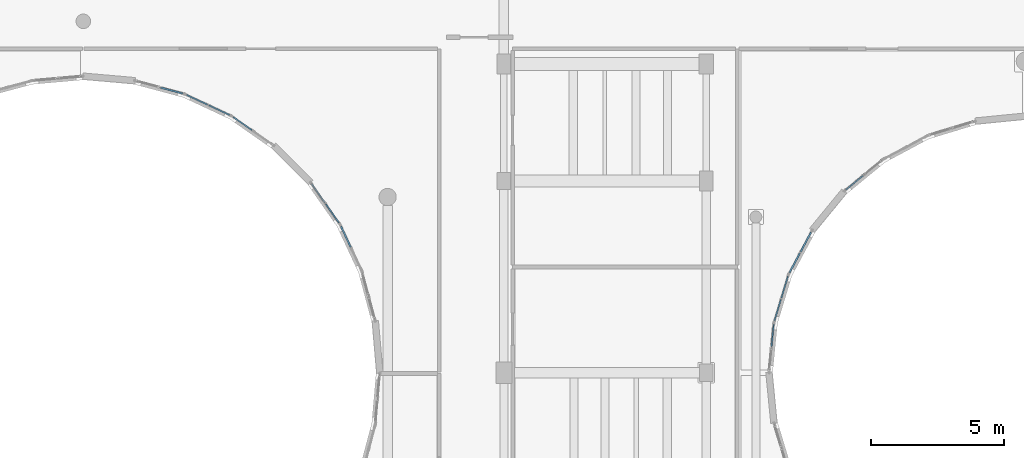
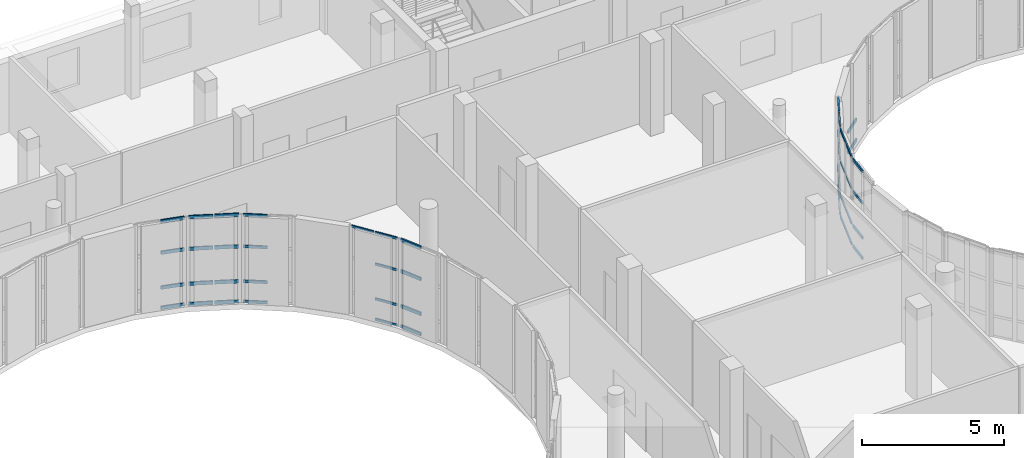
# One storey, part 52 of 89: 47 members, 9 elements without a shape of their own.
"""IFC4 building model written with IfcOpenShell, lengths in metres."""

from ifc_helpers import new_model, si_unit, direction, frame, origin, origin_2d, place, context, subcontext, project, spatial, hollow_rectangle, extrude, material, layer, layer_set, material_profile, profile_set, type_object, element, aggregate, save


model = new_model("IFC4")

# Units and contexts
model_context = context("Model", 3, precision=1e-05, world=origin(), true_north=direction((0.0, 1.0)))
body_context = subcontext(model_context, "Body", "Model", "MODEL_VIEW")
ifc_project = project(units=[si_unit("LENGTHUNIT", "METRE"), si_unit("AREAUNIT", "SQUARE_METRE"), si_unit("VOLUMEUNIT", "CUBIC_METRE"), si_unit("PLANEANGLEUNIT", "RADIAN"), si_unit("MASSUNIT", "GRAM", prefix="KILO")], contexts=[model_context])

# Site, building, storey
site_placement = place(None, origin())
site = spatial("IfcSite", under=ifc_project, at=site_placement, CompositionType="ELEMENT")
building_placement = place(site_placement, origin())
building = spatial("IfcBuilding", under=site, at=building_placement, Name="Kelanivale Promenade Academy", CompositionType="ELEMENT")
storey_placement = place(building_placement, frame((0.0, 0.0, 12.199951171875)))
storey = spatial("IfcBuildingStorey", under=building, at=storey_placement, Name="L03", CompositionType="ELEMENT", Elevation=12.199951171875)

# Curtain wall, members
ifc_material_1 = material(Name="Bronze anodised aluminium and solar-control low-E glass", Category="aluminium")
ifc_layer_1 = layer(ifc_material_1, 0.159912109375)
ifc_layer_set_1 = layer_set([ifc_layer_1], Name="Bronze anodised aluminium and solar-control low-E glass")
curtain_wall_type_1 = type_object("IfcCurtainWallType", Name="CW-21 Curtain Wall 1650mm Module", PredefinedType="USERDEFINED", material=ifc_layer_set_1)
curtain_wall_1_placement = place(storey_placement, origin())
curtain_wall_1 = element("IfcCurtainWall", 1, at=curtain_wall_1_placement, inside=storey, type_object=curtain_wall_type_1, Name="L03 courtyard curtain wall CW-21", ObjectType="COURTYARD SCREEN GLAZING", PredefinedType="USERDEFINED")
ifc_material_2 = material(Name="Bronze anodised aluminium EN AW-6063 T6", Category="aluminium")
ifc_material_profile_1 = material_profile(ifc_material_2, hollow_rectangle(XDim=0.050048828125, YDim=0.10009765625, WallThickness=0.0029296875, at=origin_2d()), Name="ALU 50x100x3.0")
ifc_profile_set_1 = profile_set([ifc_material_profile_1], Name="Bronze anodised aluminium EN AW-6063 T6")
member_type_1 = type_object("IfcMemberType", Name="CWT-01 ALU 50x100x3.0", PredefinedType="USERDEFINED", material=ifc_profile_set_1)
member_1_placement = place(storey_placement, frame((89.87158203125, 60.41845703125, 0.025146484375), z_axis=(-0.290063805049, -0.95700730875, 0.0), x_axis=(0.95700730875, -0.290063805049, 0.0)))
member_1 = element("IfcMember", 2, at=member_1_placement, type_object=member_type_1, Name="CW-21 transom 1.1", ObjectType="TRANSOM", PredefinedType="USERDEFINED", context=body_context, shape_type="SweptSolid", body=[
    extrude(hollow_rectangle(XDim=0.050048828125, YDim=0.10009765625, WallThickness=0.0029296875, at=origin_2d()), origin(), (0.0, 0.0, 1.0), 0.8408203125),
])
member_2_placement = place(storey_placement, frame((89.87158203125, 60.41845703125, 0.900146484375), z_axis=(-0.290063805049, -0.95700730875, 0.0), x_axis=(0.95700730875, -0.290063805049, 0.0)))
member_2 = element("IfcMember", 3, at=member_2_placement, type_object=member_type_1, Name="CW-21 transom 1.2", ObjectType="TRANSOM", PredefinedType="USERDEFINED", context=body_context, shape_type="SweptSolid", body=[
    extrude(hollow_rectangle(XDim=0.050048828125, YDim=0.10009765625, WallThickness=0.0029296875, at=origin_2d()), origin(), (0.0, 0.0, 1.0), 0.8408203125),
])
member_3_placement = place(storey_placement, frame((89.87158203125, 60.41845703125, 2.400146484375), z_axis=(-0.290063805049, -0.95700730875, 0.0), x_axis=(0.95700730875, -0.290063805049, 0.0)))
member_3 = element("IfcMember", 4, at=member_3_placement, type_object=member_type_1, Name="CW-21 transom 1.3", ObjectType="TRANSOM", PredefinedType="USERDEFINED", context=body_context, shape_type="SweptSolid", body=[
    extrude(hollow_rectangle(XDim=0.050048828125, YDim=0.10009765625, WallThickness=0.0029296875, at=origin_2d()), origin(), (0.0, 0.0, 1.0), 0.8408203125),
])
member_4_placement = place(storey_placement, frame((89.87158203125, 60.41845703125, 3.755126953125), z_axis=(-0.290063805049, -0.95700730875, 0.0), x_axis=(0.95700730875, -0.290063805049, 0.0)))
member_4 = element("IfcMember", 5, at=member_4_placement, type_object=member_type_1, Name="CW-21 transom 1.4", ObjectType="TRANSOM", PredefinedType="USERDEFINED", context=body_context, shape_type="SweptSolid", body=[
    extrude(hollow_rectangle(XDim=0.050048828125, YDim=0.10009765625, WallThickness=0.0029296875, at=origin_2d()), origin(), (0.0, 0.0, 1.0), 0.8408203125),
])
member_5_placement = place(storey_placement, frame((89.6103515625, 59.556396484375, 0.025146484375), z_axis=(-0.289983226076, -0.957031728102, 0.0), x_axis=(0.957031728102, -0.289983226076, 0.0)))
member_5 = element("IfcMember", 6, at=member_5_placement, type_object=member_type_1, Name="CW-21 transom 2.1", ObjectType="TRANSOM", PredefinedType="USERDEFINED", context=body_context, shape_type="SweptSolid", body=[
    extrude(hollow_rectangle(XDim=0.050048828125, YDim=0.10009765625, WallThickness=0.0029296875, at=origin_2d()), origin(), (0.0, 0.0, 1.0), 0.841064453125),
])
member_6_placement = place(storey_placement, frame((89.6103515625, 59.556396484375, 0.900146484375), z_axis=(-0.289983226076, -0.957031728102, 0.0), x_axis=(0.957031728102, -0.289983226076, 0.0)))
member_6 = element("IfcMember", 7, at=member_6_placement, type_object=member_type_1, Name="CW-21 transom 2.2", ObjectType="TRANSOM", PredefinedType="USERDEFINED", context=body_context, shape_type="SweptSolid", body=[
    extrude(hollow_rectangle(XDim=0.050048828125, YDim=0.10009765625, WallThickness=0.0029296875, at=origin_2d()), origin(), (0.0, 0.0, 1.0), 0.841064453125),
])
member_7_placement = place(storey_placement, frame((89.6103515625, 59.556396484375, 2.400146484375), z_axis=(-0.289983226076, -0.957031728102, 0.0), x_axis=(0.957031728102, -0.289983226076, 0.0)))
member_7 = element("IfcMember", 8, at=member_7_placement, type_object=member_type_1, Name="CW-21 transom 2.3", ObjectType="TRANSOM", PredefinedType="USERDEFINED", context=body_context, shape_type="SweptSolid", body=[
    extrude(hollow_rectangle(XDim=0.050048828125, YDim=0.10009765625, WallThickness=0.0029296875, at=origin_2d()), origin(), (0.0, 0.0, 1.0), 0.841064453125),
])
member_8_placement = place(storey_placement, frame((89.6103515625, 59.556396484375, 3.755126953125), z_axis=(-0.289983226076, -0.957031728102, 0.0), x_axis=(0.957031728102, -0.289983226076, 0.0)))
member_8 = element("IfcMember", 9, at=member_8_placement, type_object=member_type_1, Name="CW-21 transom 2.4", ObjectType="TRANSOM", PredefinedType="USERDEFINED", context=body_context, shape_type="SweptSolid", body=[
    extrude(hollow_rectangle(XDim=0.050048828125, YDim=0.10009765625, WallThickness=0.0029296875, at=origin_2d()), origin(), (0.0, 0.0, 1.0), 0.841064453125),
])
aggregate(curtain_wall_1, [member_1, member_2, member_3, member_4, member_5, member_6, member_7, member_8])

ifc_layer_2 = layer(ifc_material_1, 0.169921875)
ifc_layer_set_2 = layer_set([ifc_layer_2], Name="Bronze anodised aluminium and solar-control low-E glass")
curtain_wall_type_2 = type_object("IfcCurtainWallType", Name="CW-13 Curtain Wall 1350mm Module", PredefinedType="USERDEFINED", material=ifc_layer_set_2)
curtain_wall_2_placement = place(storey_placement, origin())
curtain_wall_2 = element("IfcCurtainWall", 10, at=curtain_wall_2_placement, inside=storey, type_object=curtain_wall_type_2, Name="L03 courtyard curtain wall CW-13", ObjectType="COURTYARD SCREEN GLAZING", PredefinedType="USERDEFINED")
member_9_placement = place(storey_placement, frame((73.006591796875, 62.42919921875, 0.025146484375), z_axis=(-0.573329193297, 0.819325110144, 0.0), x_axis=(-0.819325110144, -0.573329193297, 0.0)))
member_9 = element("IfcMember", 11, at=member_9_placement, type_object=member_type_1, Name="CW-13 transom 1.1", ObjectType="TRANSOM", PredefinedType="USERDEFINED", context=body_context, shape_type="SweptSolid", body=[
    extrude(hollow_rectangle(XDim=0.050048828125, YDim=0.10009765625, WallThickness=0.0029296875, at=origin_2d()), origin(), (0.0, 0.0, 1.0), 0.861572265625),
])
member_10_placement = place(storey_placement, frame((73.006591796875, 62.42919921875, 0.900146484375), z_axis=(-0.573329193297, 0.819325110144, 0.0), x_axis=(-0.819325110144, -0.573329193297, 0.0)))
member_10 = element("IfcMember", 12, at=member_10_placement, type_object=member_type_1, Name="CW-13 transom 1.2", ObjectType="TRANSOM", PredefinedType="USERDEFINED", context=body_context, shape_type="SweptSolid", body=[
    extrude(hollow_rectangle(XDim=0.050048828125, YDim=0.10009765625, WallThickness=0.0029296875, at=origin_2d()), origin(), (0.0, 0.0, 1.0), 0.861572265625),
])
member_11_placement = place(storey_placement, frame((73.006591796875, 62.42919921875, 2.400146484375), z_axis=(-0.573329193297, 0.819325110144, 0.0), x_axis=(-0.819325110144, -0.573329193297, 0.0)))
member_11 = element("IfcMember", 13, at=member_11_placement, type_object=member_type_1, Name="CW-13 transom 1.3", ObjectType="TRANSOM", PredefinedType="USERDEFINED", context=body_context, shape_type="SweptSolid", body=[
    extrude(hollow_rectangle(XDim=0.050048828125, YDim=0.10009765625, WallThickness=0.0029296875, at=origin_2d()), origin(), (0.0, 0.0, 1.0), 0.861572265625),
])
member_12_placement = place(storey_placement, frame((73.006591796875, 62.42919921875, 3.755126953125), z_axis=(-0.573329193297, 0.819325110144, 0.0), x_axis=(-0.819325110144, -0.573329193297, 0.0)))
member_12 = element("IfcMember", 14, at=member_12_placement, type_object=member_type_1, Name="CW-13 transom 1.4", ObjectType="TRANSOM", PredefinedType="USERDEFINED", context=body_context, shape_type="SweptSolid", body=[
    extrude(hollow_rectangle(XDim=0.050048828125, YDim=0.10009765625, WallThickness=0.0029296875, at=origin_2d()), origin(), (0.0, 0.0, 1.0), 0.861572265625),
])
member_13_placement = place(storey_placement, frame((72.478271484375, 63.18408203125, 3.755126953125), z_axis=(-0.573329193297, 0.819325110144, 0.0), x_axis=(-0.819325110144, -0.573329193297, 0.0)))
member_13 = element("IfcMember", 15, at=member_13_placement, type_object=member_type_1, Name="CW-13 transom 2.4", ObjectType="TRANSOM", PredefinedType="USERDEFINED", context=body_context, shape_type="SweptSolid", body=[
    extrude(hollow_rectangle(XDim=0.050048828125, YDim=0.10009765625, WallThickness=0.0029296875, at=origin_2d()), origin(), (0.0, 0.0, 1.0), 0.861572265625),
])
aggregate(curtain_wall_2, [member_9, member_10, member_11, member_12, member_13])

ifc_layer_3 = layer(ifc_material_1, 0.169921875)
ifc_layer_set_3 = layer_set([ifc_layer_3], Name="Bronze anodised aluminium and solar-control low-E glass")
curtain_wall_type_3 = type_object("IfcCurtainWallType", Name="CW-22 Curtain Wall 1800mm Module", PredefinedType="USERDEFINED", material=ifc_layer_set_3)
curtain_wall_3_placement = place(storey_placement, origin())
curtain_wall_3 = element("IfcCurtainWall", 16, at=curtain_wall_3_placement, inside=storey, type_object=curtain_wall_type_3, Name="L03 courtyard curtain wall CW-22", ObjectType="COURTYARD SCREEN GLAZING", PredefinedType="USERDEFINED")
ifc_material_profile_2 = material_profile(ifc_material_2, hollow_rectangle(XDim=0.050048828125, YDim=0.1201171875, WallThickness=0.0029296875, at=origin_2d()), Name="ALU 50x120x3.0")
ifc_profile_set_2 = profile_set([ifc_material_profile_2], Name="Bronze anodised aluminium EN AW-6063 T6")
member_type_2 = type_object("IfcMemberType", Name="CWT-02 ALU 50x120x3.0", PredefinedType="USERDEFINED", material=ifc_profile_set_2)
member_14_placement = place(storey_placement, frame((89.338134765625, 58.607177734375, 0.025146484375), z_axis=(-0.098720582839, -0.99511519259, 0.0), x_axis=(0.99511519259, -0.098720582839, 0.0)))
member_14 = element("IfcMember", 17, at=member_14_placement, type_object=member_type_2, Name="CW-22 transom 1.1", ObjectType="TRANSOM", PredefinedType="USERDEFINED", context=body_context, shape_type="SweptSolid", body=[
    extrude(hollow_rectangle(XDim=0.050048828125, YDim=0.1201171875, WallThickness=0.0029296875, at=origin_2d()), origin(), (0.0, 0.0, 1.0), 0.83349609375),
])
member_15_placement = place(storey_placement, frame((89.338134765625, 58.607177734375, 0.900146484375), z_axis=(-0.098720582839, -0.99511519259, 0.0), x_axis=(0.99511519259, -0.098720582839, 0.0)))
member_15 = element("IfcMember", 18, at=member_15_placement, type_object=member_type_2, Name="CW-22 transom 1.2", ObjectType="TRANSOM", PredefinedType="USERDEFINED", context=body_context, shape_type="SweptSolid", body=[
    extrude(hollow_rectangle(XDim=0.050048828125, YDim=0.1201171875, WallThickness=0.0029296875, at=origin_2d()), origin(), (0.0, 0.0, 1.0), 0.83349609375),
])
member_16_placement = place(storey_placement, frame((89.338134765625, 58.607177734375, 2.400146484375), z_axis=(-0.098720582839, -0.99511519259, 0.0), x_axis=(0.99511519259, -0.098720582839, 0.0)))
member_16 = element("IfcMember", 19, at=member_16_placement, type_object=member_type_2, Name="CW-22 transom 1.3", ObjectType="TRANSOM", PredefinedType="USERDEFINED", context=body_context, shape_type="SweptSolid", body=[
    extrude(hollow_rectangle(XDim=0.050048828125, YDim=0.1201171875, WallThickness=0.0029296875, at=origin_2d()), origin(), (0.0, 0.0, 1.0), 0.83349609375),
])
member_17_placement = place(storey_placement, frame((89.338134765625, 58.607177734375, 3.755126953125), z_axis=(-0.098720582839, -0.99511519259, 0.0), x_axis=(0.99511519259, -0.098720582839, 0.0)))
member_17 = element("IfcMember", 20, at=member_17_placement, type_object=member_type_2, Name="CW-22 transom 1.4", ObjectType="TRANSOM", PredefinedType="USERDEFINED", context=body_context, shape_type="SweptSolid", body=[
    extrude(hollow_rectangle(XDim=0.050048828125, YDim=0.1201171875, WallThickness=0.0029296875, at=origin_2d()), origin(), (0.0, 0.0, 1.0), 0.83349609375),
])
aggregate(curtain_wall_3, [member_14, member_15, member_16, member_17])

ifc_layer_4 = layer(ifc_material_1, 0.179931640625)
ifc_layer_set_4 = layer_set([ifc_layer_4], Name="Bronze anodised aluminium and solar-control low-E glass")
curtain_wall_type_4 = type_object("IfcCurtainWallType", Name="CW-14 Curtain Wall 1500mm Module", PredefinedType="USERDEFINED", material=ifc_layer_set_4)
curtain_wall_4_placement = place(storey_placement, origin())
curtain_wall_4 = element("IfcCurtainWall", 21, at=curtain_wall_4_placement, inside=storey, type_object=curtain_wall_type_4, Name="L03 courtyard curtain wall CW-14", ObjectType="COURTYARD SCREEN GLAZING", PredefinedType="USERDEFINED")
member_18_placement = place(storey_placement, frame((69.73486328125, 65.91259765625, 0.025146484375), z_axis=(-0.819325110144, 0.573329193297, 0.0), x_axis=(-0.573329193297, -0.819325110144, 0.0)))
member_18 = element("IfcMember", 22, at=member_18_placement, type_object=member_type_2, Name="CW-14 transom 2.1", ObjectType="TRANSOM", PredefinedType="USERDEFINED", context=body_context, shape_type="SweptSolid", body=[
    extrude(hollow_rectangle(XDim=0.050048828125, YDim=0.1201171875, WallThickness=0.0029296875, at=origin_2d()), origin(), (0.0, 0.0, 1.0), 0.861572265625),
])
member_19_placement = place(storey_placement, frame((69.73486328125, 65.91259765625, 0.900146484375), z_axis=(-0.819325110144, 0.573329193297, 0.0), x_axis=(-0.573329193297, -0.819325110144, 0.0)))
member_19 = element("IfcMember", 23, at=member_19_placement, type_object=member_type_2, Name="CW-14 transom 2.2", ObjectType="TRANSOM", PredefinedType="USERDEFINED", context=body_context, shape_type="SweptSolid", body=[
    extrude(hollow_rectangle(XDim=0.050048828125, YDim=0.1201171875, WallThickness=0.0029296875, at=origin_2d()), origin(), (0.0, 0.0, 1.0), 0.861572265625),
])
member_20_placement = place(storey_placement, frame((69.73486328125, 65.91259765625, 2.400146484375), z_axis=(-0.819325110144, 0.573329193297, 0.0), x_axis=(-0.573329193297, -0.819325110144, 0.0)))
member_20 = element("IfcMember", 24, at=member_20_placement, type_object=member_type_2, Name="CW-14 transom 2.3", ObjectType="TRANSOM", PredefinedType="USERDEFINED", context=body_context, shape_type="SweptSolid", body=[
    extrude(hollow_rectangle(XDim=0.050048828125, YDim=0.1201171875, WallThickness=0.0029296875, at=origin_2d()), origin(), (0.0, 0.0, 1.0), 0.861572265625),
])
member_21_placement = place(storey_placement, frame((69.73486328125, 65.91259765625, 3.755126953125), z_axis=(-0.819325110144, 0.573329193297, 0.0), x_axis=(-0.573329193297, -0.819325110144, 0.0)))
member_21 = element("IfcMember", 25, at=member_21_placement, type_object=member_type_2, Name="CW-14 transom 2.4", ObjectType="TRANSOM", PredefinedType="USERDEFINED", context=body_context, shape_type="SweptSolid", body=[
    extrude(hollow_rectangle(XDim=0.050048828125, YDim=0.1201171875, WallThickness=0.0029296875, at=origin_2d()), origin(), (0.0, 0.0, 1.0), 0.861572265625),
])
aggregate(curtain_wall_4, [member_18, member_19, member_20, member_21])

ifc_layer_5 = layer(ifc_material_1, 0.169921875)
ifc_layer_set_5 = layer_set([ifc_layer_5], Name="Bronze anodised aluminium and solar-control low-E glass")
curtain_wall_type_5 = type_object("IfcCurtainWallType", Name="CW-19 Curtain Wall 1350mm Module", PredefinedType="USERDEFINED", material=ifc_layer_set_5)
curtain_wall_5_placement = place(storey_placement, origin())
curtain_wall_5 = element("IfcCurtainWall", 26, at=curtain_wall_5_placement, inside=storey, type_object=curtain_wall_type_5, Name="L03 courtyard curtain wall CW-19", ObjectType="COURTYARD SCREEN GLAZING", PredefinedType="USERDEFINED")
ifc_material_profile_3 = material_profile(ifc_material_2, hollow_rectangle(XDim=0.050048828125, YDim=0.14990234375, WallThickness=0.00341796875, at=origin_2d()), Name="ALU 50x150x3.5")
ifc_profile_set_3 = profile_set([ifc_material_profile_3], Name="Bronze anodised aluminium EN AW-6063 T6")
member_type_3 = type_object("IfcMemberType", Name="CWT-03 ALU 50x150x3.5", PredefinedType="USERDEFINED", material=ifc_profile_set_3)
member_22_placement = place(storey_placement, frame((92.69384765625, 64.200927734375, 0.025146484375), z_axis=(-0.7732851825, -0.634058377853, 0.0), x_axis=(0.634058377853, -0.7732851825, 0.0)))
member_22 = element("IfcMember", 27, at=member_22_placement, type_object=member_type_3, Name="CW-19 transom 2.1", ObjectType="TRANSOM", PredefinedType="USERDEFINED", context=body_context, shape_type="SweptSolid", body=[
    extrude(hollow_rectangle(XDim=0.050048828125, YDim=0.14990234375, WallThickness=0.00341796875, at=origin_2d()), origin(), (0.0, 0.0, 1.0), 0.825927734375),
])
member_23_placement = place(storey_placement, frame((92.69384765625, 64.200927734375, 0.900146484375), z_axis=(-0.7732851825, -0.634058377853, 0.0), x_axis=(0.634058377853, -0.7732851825, 0.0)))
member_23 = element("IfcMember", 28, at=member_23_placement, type_object=member_type_3, Name="CW-19 transom 2.2", ObjectType="TRANSOM", PredefinedType="USERDEFINED", context=body_context, shape_type="SweptSolid", body=[
    extrude(hollow_rectangle(XDim=0.050048828125, YDim=0.14990234375, WallThickness=0.00341796875, at=origin_2d()), origin(), (0.0, 0.0, 1.0), 0.825927734375),
])
aggregate(curtain_wall_5, [member_22, member_23])

ifc_layer_6 = layer(ifc_material_1, 0.159912109375)
ifc_layer_set_6 = layer_set([ifc_layer_6], Name="Bronze anodised aluminium and solar-control low-E glass")
curtain_wall_type_6 = type_object("IfcCurtainWallType", Name="CW-15 Curtain Wall 1650mm Module", PredefinedType="USERDEFINED", material=ifc_layer_set_6)
curtain_wall_6_placement = place(storey_placement, origin())
curtain_wall_6 = element("IfcCurtainWall", 29, at=curtain_wall_6_placement, inside=storey, type_object=curtain_wall_type_6, Name="L03 courtyard curtain wall CW-15", ObjectType="COURTYARD SCREEN GLAZING", PredefinedType="USERDEFINED")
member_24_placement = place(storey_placement, frame((68.900146484375, 66.48046875, 0.025146484375), z_axis=(-0.906226571939, 0.422792384407, 0.0), x_axis=(-0.422792384407, -0.906226571939, 0.0)))
member_24 = element("IfcMember", 30, at=member_24_placement, type_object=member_type_3, Name="CW-15 transom 1.1", ObjectType="TRANSOM", PredefinedType="USERDEFINED", context=body_context, shape_type="SweptSolid", body=[
    extrude(hollow_rectangle(XDim=0.050048828125, YDim=0.14990234375, WallThickness=0.00341796875, at=origin_2d()), origin(), (0.0, 0.0, 1.0), 0.861572265625),
])
member_25_placement = place(storey_placement, frame((68.900146484375, 66.48046875, 0.900146484375), z_axis=(-0.906226571939, 0.422792384407, 0.0), x_axis=(-0.422792384407, -0.906226571939, 0.0)))
member_25 = element("IfcMember", 31, at=member_25_placement, type_object=member_type_3, Name="CW-15 transom 1.2", ObjectType="TRANSOM", PredefinedType="USERDEFINED", context=body_context, shape_type="SweptSolid", body=[
    extrude(hollow_rectangle(XDim=0.050048828125, YDim=0.14990234375, WallThickness=0.00341796875, at=origin_2d()), origin(), (0.0, 0.0, 1.0), 0.861572265625),
])
member_26_placement = place(storey_placement, frame((68.900146484375, 66.48046875, 2.400146484375), z_axis=(-0.906226571939, 0.422792384407, 0.0), x_axis=(-0.422792384407, -0.906226571939, 0.0)))
member_26 = element("IfcMember", 32, at=member_26_placement, type_object=member_type_3, Name="CW-15 transom 1.3", ObjectType="TRANSOM", PredefinedType="USERDEFINED", context=body_context, shape_type="SweptSolid", body=[
    extrude(hollow_rectangle(XDim=0.050048828125, YDim=0.14990234375, WallThickness=0.00341796875, at=origin_2d()), origin(), (0.0, 0.0, 1.0), 0.861572265625),
])
member_27_placement = place(storey_placement, frame((68.900146484375, 66.48046875, 3.755126953125), z_axis=(-0.906226571939, 0.422792384407, 0.0), x_axis=(-0.422792384407, -0.906226571939, 0.0)))
member_27 = element("IfcMember", 33, at=member_27_placement, type_object=member_type_3, Name="CW-15 transom 1.4", ObjectType="TRANSOM", PredefinedType="USERDEFINED", context=body_context, shape_type="SweptSolid", body=[
    extrude(hollow_rectangle(XDim=0.050048828125, YDim=0.14990234375, WallThickness=0.00341796875, at=origin_2d()), origin(), (0.0, 0.0, 1.0), 0.861572265625),
])
member_28_placement = place(storey_placement, frame((68.060546875, 66.872314453125, 0.025146484375), z_axis=(-0.906226571939, 0.422792384407, 0.0), x_axis=(-0.422792384407, -0.906226571939, 0.0)))
member_28 = element("IfcMember", 34, at=member_28_placement, type_object=member_type_3, Name="CW-15 transom 2.1", ObjectType="TRANSOM", PredefinedType="USERDEFINED", context=body_context, shape_type="SweptSolid", body=[
    extrude(hollow_rectangle(XDim=0.050048828125, YDim=0.14990234375, WallThickness=0.00341796875, at=origin_2d()), origin(), (0.0, 0.0, 1.0), 0.861572265625),
])
member_29_placement = place(storey_placement, frame((68.060546875, 66.872314453125, 0.900146484375), z_axis=(-0.906226571939, 0.422792384407, 0.0), x_axis=(-0.422792384407, -0.906226571939, 0.0)))
member_29 = element("IfcMember", 35, at=member_29_placement, type_object=member_type_3, Name="CW-15 transom 2.2", ObjectType="TRANSOM", PredefinedType="USERDEFINED", context=body_context, shape_type="SweptSolid", body=[
    extrude(hollow_rectangle(XDim=0.050048828125, YDim=0.14990234375, WallThickness=0.00341796875, at=origin_2d()), origin(), (0.0, 0.0, 1.0), 0.861572265625),
])
member_30_placement = place(storey_placement, frame((68.060546875, 66.872314453125, 2.400146484375), z_axis=(-0.906226571939, 0.422792384407, 0.0), x_axis=(-0.422792384407, -0.906226571939, 0.0)))
member_30 = element("IfcMember", 36, at=member_30_placement, type_object=member_type_3, Name="CW-15 transom 2.3", ObjectType="TRANSOM", PredefinedType="USERDEFINED", context=body_context, shape_type="SweptSolid", body=[
    extrude(hollow_rectangle(XDim=0.050048828125, YDim=0.14990234375, WallThickness=0.00341796875, at=origin_2d()), origin(), (0.0, 0.0, 1.0), 0.861572265625),
])
member_31_placement = place(storey_placement, frame((68.060546875, 66.872314453125, 3.755126953125), z_axis=(-0.906226571939, 0.422792384407, 0.0), x_axis=(-0.422792384407, -0.906226571939, 0.0)))
member_31 = element("IfcMember", 37, at=member_31_placement, type_object=member_type_3, Name="CW-15 transom 2.4", ObjectType="TRANSOM", PredefinedType="USERDEFINED", context=body_context, shape_type="SweptSolid", body=[
    extrude(hollow_rectangle(XDim=0.050048828125, YDim=0.14990234375, WallThickness=0.00341796875, at=origin_2d()), origin(), (0.0, 0.0, 1.0), 0.861572265625),
])
aggregate(curtain_wall_6, [member_24, member_25, member_26, member_27, member_28, member_29, member_30, member_31])

ifc_layer_7 = layer(ifc_material_1, 0.179931640625)
ifc_layer_set_7 = layer_set([ifc_layer_7], Name="Bronze anodised aluminium and solar-control low-E glass")
curtain_wall_type_7 = type_object("IfcCurtainWallType", Name="CW-20 Curtain Wall 1500mm Module", PredefinedType="USERDEFINED", material=ifc_layer_set_7)
curtain_wall_7_placement = place(storey_placement, origin())
curtain_wall_7 = element("IfcCurtainWall", 38, at=curtain_wall_7_placement, inside=storey, type_object=curtain_wall_type_7, Name="L03 courtyard curtain wall CW-20", ObjectType="COURTYARD SCREEN GLAZING", PredefinedType="USERDEFINED")
ifc_material_profile_4 = material_profile(ifc_material_2, hollow_rectangle(XDim=0.06005859375, YDim=0.139892578125, WallThickness=0.00341796875, at=origin_2d()), Name="ALU 60x140x3.5")
ifc_profile_set_4 = profile_set([ifc_material_profile_4], Name="Bronze anodised aluminium EN AW-6063 T6")
member_type_4 = type_object("IfcMemberType", Name="CWT-04 ALU 60x140x3.5", PredefinedType="USERDEFINED", material=ifc_profile_set_4)
member_32_placement = place(storey_placement, frame((90.740478515625, 62.07373046875, 0.030029296875), z_axis=(-0.471385192805, -0.881927434659, 0.0), x_axis=(0.881927434659, -0.471385192805, 0.0)))
member_32 = element("IfcMember", 39, at=member_32_placement, type_object=member_type_4, Name="CW-20 transom 1.1", ObjectType="TRANSOM", PredefinedType="USERDEFINED", context=body_context, shape_type="SweptSolid", body=[
    extrude(hollow_rectangle(XDim=0.06005859375, YDim=0.139892578125, WallThickness=0.00341796875, at=origin_2d()), origin(), (0.0, 0.0, 1.0), 0.82666015625),
])
member_33_placement = place(storey_placement, frame((90.740478515625, 62.07373046875, 0.900146484375), z_axis=(-0.471385192805, -0.881927434659, 0.0), x_axis=(0.881927434659, -0.471385192805, 0.0)))
member_33 = element("IfcMember", 40, at=member_33_placement, type_object=member_type_4, Name="CW-20 transom 1.2", ObjectType="TRANSOM", PredefinedType="USERDEFINED", context=body_context, shape_type="SweptSolid", body=[
    extrude(hollow_rectangle(XDim=0.06005859375, YDim=0.139892578125, WallThickness=0.00341796875, at=origin_2d()), origin(), (0.0, 0.0, 1.0), 0.82666015625),
])
member_34_placement = place(storey_placement, frame((90.740478515625, 62.07373046875, 2.400146484375), z_axis=(-0.471385192805, -0.881927434659, 0.0), x_axis=(0.881927434659, -0.471385192805, 0.0)))
member_34 = element("IfcMember", 41, at=member_34_placement, type_object=member_type_4, Name="CW-20 transom 1.3", ObjectType="TRANSOM", PredefinedType="USERDEFINED", context=body_context, shape_type="SweptSolid", body=[
    extrude(hollow_rectangle(XDim=0.06005859375, YDim=0.139892578125, WallThickness=0.00341796875, at=origin_2d()), origin(), (0.0, 0.0, 1.0), 0.82666015625),
])
member_35_placement = place(storey_placement, frame((90.740478515625, 62.07373046875, 3.75), z_axis=(-0.471385192805, -0.881927434659, 0.0), x_axis=(0.881927434659, -0.471385192805, 0.0)))
member_35 = element("IfcMember", 42, at=member_35_placement, type_object=member_type_4, Name="CW-20 transom 1.4", ObjectType="TRANSOM", PredefinedType="USERDEFINED", context=body_context, shape_type="SweptSolid", body=[
    extrude(hollow_rectangle(XDim=0.06005859375, YDim=0.139892578125, WallThickness=0.00341796875, at=origin_2d()), origin(), (0.0, 0.0, 1.0), 0.82666015625),
])
member_36_placement = place(storey_placement, frame((90.320068359375, 61.287353515625, 0.030029296875), z_axis=(-0.471155419567, -0.882050208669, 0.0), x_axis=(0.882050208669, -0.471155419567, 0.0)))
member_36 = element("IfcMember", 43, at=member_36_placement, type_object=member_type_4, Name="CW-20 transom 2.1", ObjectType="TRANSOM", PredefinedType="USERDEFINED", context=body_context, shape_type="SweptSolid", body=[
    extrude(hollow_rectangle(XDim=0.06005859375, YDim=0.139892578125, WallThickness=0.00341796875, at=origin_2d()), origin(), (0.0, 0.0, 1.0), 0.826416015625),
])
member_37_placement = place(storey_placement, frame((90.320068359375, 61.287353515625, 0.900146484375), z_axis=(-0.471155419567, -0.882050208669, 0.0), x_axis=(0.882050208669, -0.471155419567, 0.0)))
member_37 = element("IfcMember", 44, at=member_37_placement, type_object=member_type_4, Name="CW-20 transom 2.2", ObjectType="TRANSOM", PredefinedType="USERDEFINED", context=body_context, shape_type="SweptSolid", body=[
    extrude(hollow_rectangle(XDim=0.06005859375, YDim=0.139892578125, WallThickness=0.00341796875, at=origin_2d()), origin(), (0.0, 0.0, 1.0), 0.826416015625),
])
member_38_placement = place(storey_placement, frame((90.320068359375, 61.287353515625, 2.400146484375), z_axis=(-0.471155419567, -0.882050208669, 0.0), x_axis=(0.882050208669, -0.471155419567, 0.0)))
member_38 = element("IfcMember", 45, at=member_38_placement, type_object=member_type_4, Name="CW-20 transom 2.3", ObjectType="TRANSOM", PredefinedType="USERDEFINED", context=body_context, shape_type="SweptSolid", body=[
    extrude(hollow_rectangle(XDim=0.06005859375, YDim=0.139892578125, WallThickness=0.00341796875, at=origin_2d()), origin(), (0.0, 0.0, 1.0), 0.826416015625),
])
member_39_placement = place(storey_placement, frame((90.320068359375, 61.287353515625, 3.75), z_axis=(-0.471155419567, -0.882050208669, 0.0), x_axis=(0.882050208669, -0.471155419567, 0.0)))
member_39 = element("IfcMember", 46, at=member_39_placement, type_object=member_type_4, Name="CW-20 transom 2.4", ObjectType="TRANSOM", PredefinedType="USERDEFINED", context=body_context, shape_type="SweptSolid", body=[
    extrude(hollow_rectangle(XDim=0.06005859375, YDim=0.139892578125, WallThickness=0.00341796875, at=origin_2d()), origin(), (0.0, 0.0, 1.0), 0.826416015625),
])
aggregate(curtain_wall_7, [member_32, member_33, member_34, member_35, member_36, member_37, member_38, member_39])

ifc_layer_8 = layer(ifc_material_1, 0.159912109375)
ifc_layer_set_8 = layer_set([ifc_layer_8], Name="Bronze anodised aluminium and solar-control low-E glass")
curtain_wall_type_8 = type_object("IfcCurtainWallType", Name="CW-12 Curtain Wall 1200mm Module", PredefinedType="USERDEFINED", material=ifc_layer_set_8)
curtain_wall_8_placement = place(storey_placement, origin())
curtain_wall_8 = element("IfcCurtainWall", 47, at=curtain_wall_8_placement, inside=storey, type_object=curtain_wall_type_8, Name="L03 courtyard curtain wall CW-12", ObjectType="UNITISED GLAZING", PredefinedType="USERDEFINED")
member_40_placement = place(storey_placement, frame((73.44482421875, 61.51953125, 0.030029296875), z_axis=(-0.422900982369, 0.906175898549, 0.0), x_axis=(-0.906175898549, -0.422900982369, 0.0)))
member_40 = element("IfcMember", 48, at=member_40_placement, type_object=member_type_4, Name="CW-12 transom 2.1", ObjectType="TRANSOM", PredefinedType="USERDEFINED", context=body_context, shape_type="SweptSolid", body=[
    extrude(hollow_rectangle(XDim=0.06005859375, YDim=0.139892578125, WallThickness=0.00341796875, at=origin_2d()), origin(), (0.0, 0.0, 1.0), 0.861328125),
])
member_41_placement = place(storey_placement, frame((73.44482421875, 61.51953125, 0.900146484375), z_axis=(-0.422900982369, 0.906175898549, 0.0), x_axis=(-0.906175898549, -0.422900982369, 0.0)))
member_41 = element("IfcMember", 49, at=member_41_placement, type_object=member_type_4, Name="CW-12 transom 2.2", ObjectType="TRANSOM", PredefinedType="USERDEFINED", context=body_context, shape_type="SweptSolid", body=[
    extrude(hollow_rectangle(XDim=0.06005859375, YDim=0.139892578125, WallThickness=0.00341796875, at=origin_2d()), origin(), (0.0, 0.0, 1.0), 0.861328125),
])
member_42_placement = place(storey_placement, frame((73.44482421875, 61.51953125, 2.400146484375), z_axis=(-0.422900982369, 0.906175898549, 0.0), x_axis=(-0.906175898549, -0.422900982369, 0.0)))
member_42 = element("IfcMember", 50, at=member_42_placement, type_object=member_type_4, Name="CW-12 transom 2.3", ObjectType="TRANSOM", PredefinedType="USERDEFINED", context=body_context, shape_type="SweptSolid", body=[
    extrude(hollow_rectangle(XDim=0.06005859375, YDim=0.139892578125, WallThickness=0.00341796875, at=origin_2d()), origin(), (0.0, 0.0, 1.0), 0.861328125),
])
member_43_placement = place(storey_placement, frame((73.44482421875, 61.51953125, 3.75), z_axis=(-0.422900982369, 0.906175898549, 0.0), x_axis=(-0.906175898549, -0.422900982369, 0.0)))
member_43 = element("IfcMember", 51, at=member_43_placement, type_object=member_type_4, Name="CW-12 transom 2.4", ObjectType="TRANSOM", PredefinedType="USERDEFINED", context=body_context, shape_type="SweptSolid", body=[
    extrude(hollow_rectangle(XDim=0.06005859375, YDim=0.139892578125, WallThickness=0.00341796875, at=origin_2d()), origin(), (0.0, 0.0, 1.0), 0.861328125),
])
aggregate(curtain_wall_8, [member_40, member_41, member_42, member_43])

ifc_layer_9 = layer(ifc_material_1, 0.169921875)
ifc_layer_set_9 = layer_set([ifc_layer_9], Name="Bronze anodised aluminium and solar-control low-E glass")
curtain_wall_type_9 = type_object("IfcCurtainWallType", Name="CW-16 Curtain Wall 1800mm Module", PredefinedType="USERDEFINED", material=ifc_layer_set_9)
curtain_wall_9_placement = place(storey_placement, origin())
curtain_wall_9 = element("IfcCurtainWall", 52, at=curtain_wall_9_placement, inside=storey, type_object=curtain_wall_type_9, Name="L03 courtyard curtain wall CW-16", ObjectType="COURTYARD SCREEN GLAZING", PredefinedType="USERDEFINED")
member_44_placement = place(storey_placement, frame((67.13525390625, 67.288818359375, 0.030029296875), z_axis=(-0.966025838893, 0.258445504102, 0.0), x_axis=(-0.258445504102, -0.966025838893, 0.0)))
member_44 = element("IfcMember", 53, at=member_44_placement, type_object=member_type_4, Name="CW-16 transom 1.1", ObjectType="TRANSOM", PredefinedType="USERDEFINED", context=body_context, shape_type="SweptSolid", body=[
    extrude(hollow_rectangle(XDim=0.06005859375, YDim=0.139892578125, WallThickness=0.00341796875, at=origin_2d()), origin(), (0.0, 0.0, 1.0), 0.85400390625),
])
member_45_placement = place(storey_placement, frame((67.13525390625, 67.288818359375, 0.900146484375), z_axis=(-0.966025838893, 0.258445504102, 0.0), x_axis=(-0.258445504102, -0.966025838893, 0.0)))
member_45 = element("IfcMember", 54, at=member_45_placement, type_object=member_type_4, Name="CW-16 transom 1.2", ObjectType="TRANSOM", PredefinedType="USERDEFINED", context=body_context, shape_type="SweptSolid", body=[
    extrude(hollow_rectangle(XDim=0.06005859375, YDim=0.139892578125, WallThickness=0.00341796875, at=origin_2d()), origin(), (0.0, 0.0, 1.0), 0.85400390625),
])
member_46_placement = place(storey_placement, frame((67.13525390625, 67.288818359375, 2.400146484375), z_axis=(-0.966025838893, 0.258445504102, 0.0), x_axis=(-0.258445504102, -0.966025838893, 0.0)))
member_46 = element("IfcMember", 55, at=member_46_placement, type_object=member_type_4, Name="CW-16 transom 1.3", ObjectType="TRANSOM", PredefinedType="USERDEFINED", context=body_context, shape_type="SweptSolid", body=[
    extrude(hollow_rectangle(XDim=0.06005859375, YDim=0.139892578125, WallThickness=0.00341796875, at=origin_2d()), origin(), (0.0, 0.0, 1.0), 0.85400390625),
])
member_47_placement = place(storey_placement, frame((67.13525390625, 67.288818359375, 3.75), z_axis=(-0.966025838893, 0.258445504102, 0.0), x_axis=(-0.258445504102, -0.966025838893, 0.0)))
member_47 = element("IfcMember", 56, at=member_47_placement, type_object=member_type_4, Name="CW-16 transom 1.4", ObjectType="TRANSOM", PredefinedType="USERDEFINED", context=body_context, shape_type="SweptSolid", body=[
    extrude(hollow_rectangle(XDim=0.06005859375, YDim=0.139892578125, WallThickness=0.00341796875, at=origin_2d()), origin(), (0.0, 0.0, 1.0), 0.85400390625),
])
aggregate(curtain_wall_9, [member_44, member_45, member_46, member_47])

save(model, "model.ifc")
